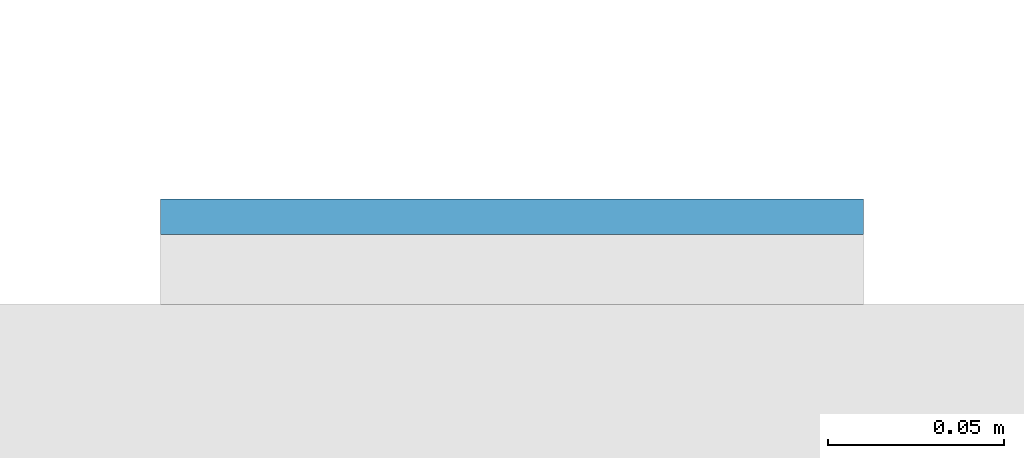
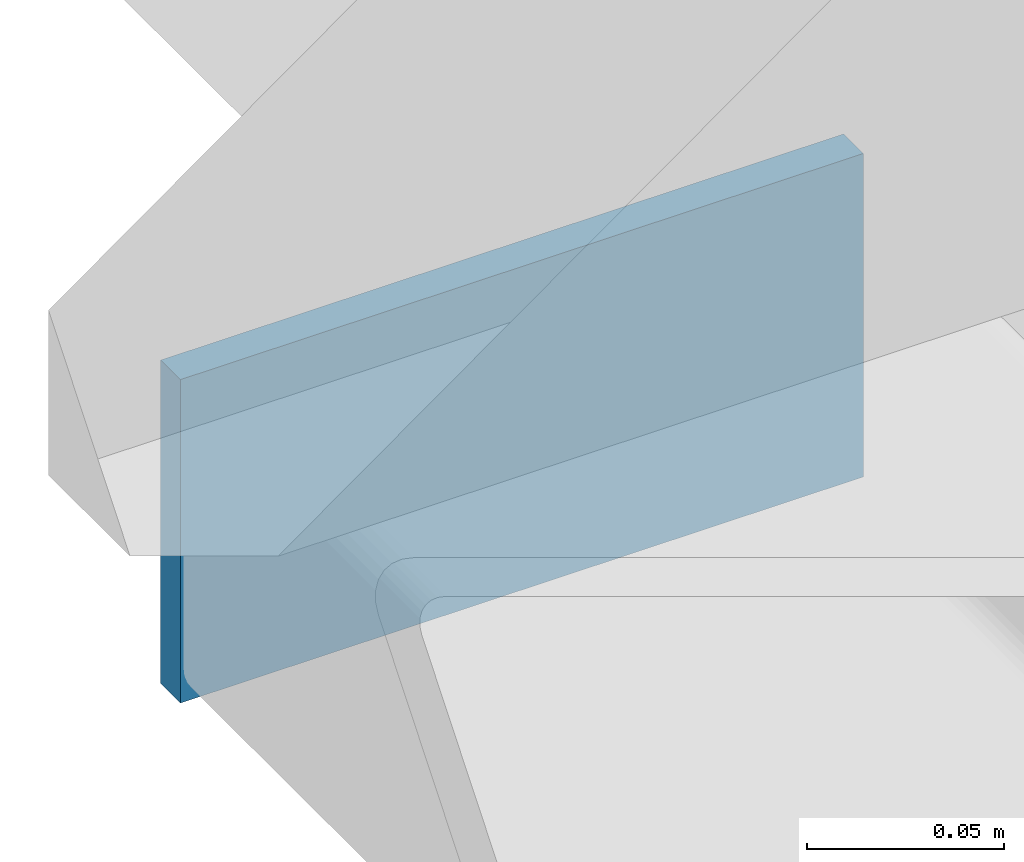
# One storey, part 9 of 20: 1 plate.
"""IFC4 building model written with IfcOpenShell, lengths in metres."""

import ifcopenshell
import ifcopenshell.guid

model = None  # the IFC model being written
_history = None  # IfcOwnerHistory: only IFC2X3 demands one
_inside = {}  # id of a spatial element -> (the spatial element, [elements in it])
_under = {}  # id of a project, library or spatial element -> (it, [spatial elements below it])
_declared = {}  # id of a project -> (the project, [libraries it declares])
_typed = {}  # id of a type object -> (the type object, [elements of that type])
_made_of = {}  # id of a material, layer set ... -> (it, [elements and type objects made of it])


def new_model(schema):
    """Start an empty IFC model of exactly this schema.

    Asked for "IFC4X3", IfcOpenShell would pick the latest addendum, in which some entities
    have other attributes; the version numbers below select the first issue.
    IFC2X3 requires an IfcOwnerHistory on every rooted entity: one is made here for all.
    """
    global model, _history
    if schema == "IFC4X3":
        model = ifcopenshell.file(schema_version=(4, 3, 0, 0))
    else:
        model = ifcopenshell.file(schema=schema)
    _inside.clear()
    _under.clear()
    _declared.clear()
    _typed.clear()
    _made_of.clear()
    _history = None
    if model.schema == "IFC2X3":
        org = make("IfcOrganization", Name="unknown")
        user = make(
            "IfcPersonAndOrganization",
            ThePerson=make("IfcPerson", FamilyName="unknown"),
            TheOrganization=org,
        )
        app = make(
            "IfcApplication",
            ApplicationDeveloper=org,
            Version="unknown",
            ApplicationFullName="unknown",
            ApplicationIdentifier="unknown",
        )
        _history = make(
            "IfcOwnerHistory",
            OwningUser=user,
            OwningApplication=app,
            ChangeAction="ADDED",
            CreationDate=0,
        )
    return model


def make(cls, **values):
    """One entity of the class cls with the attributes given. An attribute that is None is left unset."""
    return model.create_entity(
        cls, **{name: value for name, value in values.items() if value is not None}
    )


def rooted(cls, **values):
    """An entity with a GlobalId (a new one), such as an element, a storey or a relation."""
    return make(cls, GlobalId=ifcopenshell.guid.new(), OwnerHistory=_history, **values)


def si_unit(unit_type, name, prefix=None):
    """IfcSIUnit, for example si_unit("LENGTHUNIT", "METRE", prefix="MILLI")."""
    return make("IfcSIUnit", UnitType=unit_type, Prefix=prefix, Name=name)


def assignment(units):
    """IfcUnitAssignment: the units of a project."""
    return None if units is None else make("IfcUnitAssignment", Units=units)


def point(xyz):
    """IfcCartesianPoint."""
    return None if xyz is None else make("IfcCartesianPoint", Coordinates=xyz)


def direction(xyz):
    """IfcDirection."""
    return None if xyz is None else make("IfcDirection", DirectionRatios=xyz)


def frame(location, z_axis=None, x_axis=None):
    """IfcAxis2Placement3D, a coordinate frame: its origin and axes. An axis left out is left unset."""
    return make(
        "IfcAxis2Placement3D",
        Location=point(location),
        Axis=direction(z_axis),
        RefDirection=direction(x_axis),
    )


def frame_2d(location, x_axis=None):
    """IfcAxis2Placement2D, a coordinate frame in the plane: its origin and x axis."""
    return make(
        "IfcAxis2Placement2D", Location=point(location), RefDirection=direction(x_axis)
    )


def origin():
    """The frame at (0, 0, 0) with its axes left unset."""
    return frame((0.0, 0.0, 0.0))


def origin_2d():
    """The frame at (0, 0) in the plane with its x axis left unset."""
    return frame_2d((0.0, 0.0))


def place(relative_to, where):
    """IfcLocalPlacement: puts the frame where relative to a parent placement (None: the world)."""
    return make(
        "IfcLocalPlacement", PlacementRelTo=relative_to, RelativePlacement=where
    )


def context(
    kind, dimensions, precision=None, world=None, true_north=None, identifier=None
):
    """IfcGeometricRepresentationContext, for example the 3D "Model" context."""
    return make(
        "IfcGeometricRepresentationContext",
        ContextIdentifier=identifier,
        ContextType=kind,
        CoordinateSpaceDimension=dimensions,
        Precision=precision,
        WorldCoordinateSystem=world,
        TrueNorth=true_north,
    )


def subcontext(parent, identifier, kind, view, scale=None):
    """IfcGeometricRepresentationSubContext, for example "Body" below "Model"."""
    return make(
        "IfcGeometricRepresentationSubContext",
        ContextIdentifier=identifier,
        ContextType=kind,
        ParentContext=parent,
        TargetScale=scale,
        TargetView=view,
    )


def project(units=None, contexts=None):
    """IfcProject with its units and contexts."""
    return rooted(
        "IfcProject",
        Name="project",
        RepresentationContexts=contexts,
        UnitsInContext=assignment(units),
    )


def spatial(cls, under=None, at=None, **own):
    """A site, building, storey or space (cls), placed at a placement, below another one or the project."""
    s = rooted(cls, ObjectPlacement=at, **own)
    if under is not None:
        _under.setdefault(under.id(), (under, []))[1].append(s)
    return s


def profile(cls, at=None, kind="AREA", **sizes):
    """A parametric profile (cls). Its sizes go by their IFC names, for example OverallWidth=200.0."""
    return make(cls, ProfileType=kind, Position=at, **sizes)


def rectangle(**sizes):
    """IfcRectangleProfileDef."""
    return profile("IfcRectangleProfileDef", **sizes)


def extrude(swept, where, along, depth):
    """IfcExtrudedAreaSolid: the profile swept, set in the frame where, extruded along a direction by depth."""
    return make(
        "IfcExtrudedAreaSolid",
        SweptArea=swept,
        Position=where,
        ExtrudedDirection=direction(along),
        Depth=depth,
    )


def shape(context_of_items, identifier, shape_type, items):
    """IfcShapeRepresentation: the items that make up one representation, for example the "Body"."""
    return make(
        "IfcShapeRepresentation",
        ContextOfItems=context_of_items,
        RepresentationIdentifier=identifier,
        RepresentationType=shape_type,
        Items=items,
    )


def material(Name=None, Category=None):
    """IfcMaterial."""
    return make("IfcMaterial", Name=Name, Category=Category)


def layer(
    of_material, thickness, ventilated=None, Name=None, Category=None, Priority=None
):
    """IfcMaterialLayer: one layer of a wall or slab, of a material (None: an air gap)."""
    return make(
        "IfcMaterialLayer",
        Material=of_material,
        LayerThickness=thickness,
        IsVentilated=ventilated,
        Name=Name,
        Category=Category,
        Priority=Priority,
    )


def layer_set(layers, Name=None):
    """IfcMaterialLayerSet."""
    return make("IfcMaterialLayerSet", MaterialLayers=layers, LayerSetName=Name)


def made_of(thing, what):
    """Note that an element or type object is made of a material, layer set ...; save() writes the relation."""
    if what is not None:
        _made_of.setdefault(what.id(), (what, []))[1].append(thing)
    return thing


def type_object(cls, material=None, **own):
    """A type object (cls), such as IfcWallType, which elements share."""
    return made_of(rooted(cls, **own), material)


def element(
    cls,
    number,
    at=None,
    inside=None,
    cuts=None,
    type_object=None,
    material=None,
    context=None,
    identifier="Body",
    shape_type=None,
    held_by="IfcProductDefinitionShape",
    body=None,
    shapes=None,
    **own,
):
    """One element of the class cls, such as IfcWall. Its Tag is "e" and its number.

    at: its placement. inside: the storey or other place that contains it. cuts: it is an
    opening in that element (IfcRelVoidsElement). A single representation is given by context,
    identifier, shape_type and body (its items); several are given by shapes. held_by: the class
    of the entity that holds the representations. save() writes the other relations.
    """
    e = rooted(cls, Tag="e%d" % number, ObjectPlacement=at, **own)
    if body is not None:
        shapes = [shape(context, identifier, shape_type, body)]
    if shapes is not None:
        e.Representation = make(held_by, Representations=shapes)
    if inside is not None:
        _inside.setdefault(inside.id(), (inside, []))[1].append(e)
    if cuts is not None:
        rooted(
            "IfcRelVoidsElement", RelatingBuildingElement=cuts, RelatedOpeningElement=e
        )
    if type_object is not None:
        _typed.setdefault(type_object.id(), (type_object, []))[1].append(e)
    return made_of(e, material)


def aggregate(whole, parts):
    """IfcRelAggregates: a whole, such as a stair, and the parts it consists of."""
    return rooted("IfcRelAggregates", RelatingObject=whole, RelatedObjects=parts)


def save(model, path):
    """Write the relations noted so far, then the file.

    IfcRelAggregates (storeys below a building ...), IfcRelContainedInSpatialStructure (elements
    in a storey), IfcRelDefinesByType, IfcRelAssociatesMaterial and IfcRelDeclares: one each for
    every whole, place, type object, material and project.
    """
    for whole, parts in _under.values():
        aggregate(whole, parts)
    for where, things in _inside.values():
        rooted(
            "IfcRelContainedInSpatialStructure",
            RelatedElements=things,
            RelatingStructure=where,
        )
    for kind, things in _typed.values():
        rooted("IfcRelDefinesByType", RelatedObjects=things, RelatingType=kind)
    for what, things in _made_of.values():
        rooted("IfcRelAssociatesMaterial", RelatedObjects=things, RelatingMaterial=what)
    for by, libraries in _declared.values():
        rooted("IfcRelDeclares", RelatingContext=by, RelatedDefinitions=libraries)
    model.write(path)


model = new_model("IFC4")

# Units and contexts
model_context = context("Model", 3, precision=1e-05, world=origin(), true_north=direction((0.0, 1.0)))
body_context = subcontext(model_context, "Body", "Model", "MODEL_VIEW")
ifc_project = project(units=[si_unit("LENGTHUNIT", "METRE"), si_unit("AREAUNIT", "SQUARE_METRE"), si_unit("VOLUMEUNIT", "CUBIC_METRE"), si_unit("PLANEANGLEUNIT", "RADIAN"), si_unit("MASSUNIT", "GRAM", prefix="KILO")], contexts=[model_context])

# Site, building, storey
site_placement = place(None, origin())
site = spatial("IfcSite", under=ifc_project, at=site_placement, CompositionType="ELEMENT")
building_placement = place(site_placement, origin())
building = spatial("IfcBuilding", under=site, at=building_placement, Name="Cleftline Residences", CompositionType="ELEMENT")
storey_placement = place(building_placement, frame((0.0, 0.0, 51.199951171875)))
storey = spatial("IfcBuildingStorey", under=building, at=storey_placement, Name="L12", CompositionType="ELEMENT", Elevation=51.199951171875)

# Plate
ifc_material = material(Name="Steel S355, hot-dip galvanised", Category="steel")
ifc_layer = layer(ifc_material, 0.010009765625)
ifc_layer_set = layer_set([ifc_layer], Name="BAGUETTE CARRIER END PLATE 200X100X10")
plate_type = type_object("IfcPlateType", Name="BAGUETTE CARRIER END PLATE 200X100X10", PredefinedType="USERDEFINED", material=ifc_layer_set)
plate_placement = place(storey_placement, frame((-0.85009765625, 44.304931640625, -0.10009765625), z_axis=(0.0, 0.0, 1.0), x_axis=(-1.0, 0.0, 0.0)))
element("IfcPlate", 1, at=plate_placement, inside=storey, type_object=plate_type, Name="Baguette carrier end plate", ObjectType="BAGUETTE CARRIER END PLATE", PredefinedType="USERDEFINED", context=body_context, shape_type="SweptSolid", body=[
    extrude(rectangle(XDim=0.199951171875, YDim=0.010009765625, at=origin_2d()), origin(), (0.0, 0.0, 1.0), 0.10009765625),
])

save(model, "model.ifc")
